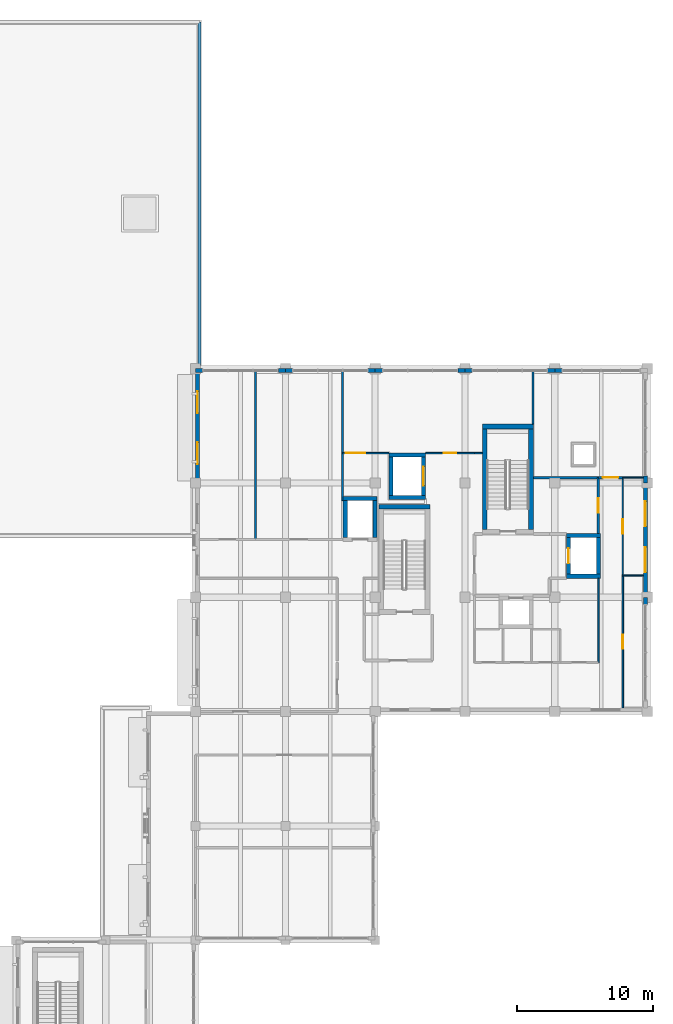
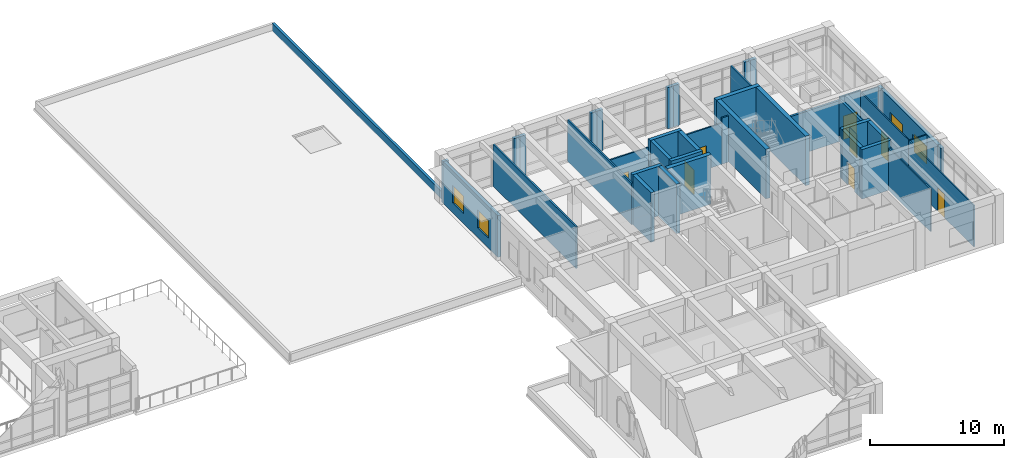
# One storey, part 34 of 50: 43 walls, 8 doors, 4 windows, 12 openings.
"""IFC4 building model written with IfcOpenShell, lengths in metres."""

from ifc_helpers import new_model, si_unit, direction, frame, frame_2d, origin, place, context, subcontext, project, spatial, rectangle, extrude, material, layer, layer_set, type_object, element, fill, save


model = new_model("IFC4")

# Units and contexts
model_context = context("Model", 3, precision=1e-05, world=origin(), true_north=direction((0.0, 1.0)))
body_context = subcontext(model_context, "Body", "Model", "MODEL_VIEW")
ifc_project = project(units=[si_unit("LENGTHUNIT", "METRE"), si_unit("AREAUNIT", "SQUARE_METRE"), si_unit("VOLUMEUNIT", "CUBIC_METRE"), si_unit("PLANEANGLEUNIT", "RADIAN"), si_unit("MASSUNIT", "GRAM", prefix="KILO")], contexts=[model_context])

# Site, building, storey
site_placement = place(None, origin())
site = spatial("IfcSite", under=ifc_project, at=site_placement, CompositionType="ELEMENT")
building_placement = place(site_placement, origin())
building = spatial("IfcBuilding", under=site, at=building_placement, Name="Kolvaren Faculty of Natural Sciences", CompositionType="ELEMENT")
storey_placement = place(building_placement, frame((0.0, 0.0, 15.0)))
storey = spatial("IfcBuildingStorey", under=building, at=storey_placement, Name="L03", CompositionType="ELEMENT", Elevation=15.0)

# Walls
ifc_material_1 = material(Name="Acoustic mineral-wool insulated gypsum partition")
ifc_layer_1 = layer(ifc_material_1, 0.139892578125)
ifc_layer_set_1 = layer_set([ifc_layer_1], Name="Acoustic mineral-wool insulated gypsum partition")
wall_type_1 = type_object("IfcWallType", Name="CommonsPartitionWall_140", PredefinedType="PARTITIONING", material=ifc_layer_set_1)
wall_1_placement = place(storey_placement, frame((143.199951171875, 84.0400390625, 0.0), z_axis=(0.0, 0.0, 1.0), x_axis=(0.0, -1.0, 0.0)))
element("IfcWall", 1, at=wall_1_placement, inside=storey, type_object=wall_type_1, Name="L03 interior partition PW-140", PredefinedType="PARTITIONING", context=body_context, shape_type="SweptSolid", body=[
    extrude(rectangle(XDim=12.39013671875, YDim=0.139892578125, at=frame_2d((6.195068359375, 0.0))), origin(), (0.0, 0.0, 1.0), 3.784912109375),
])
ifc_material_2 = material(Name="Concrete C40/50", Category="concrete")
ifc_layer_2 = layer(ifc_material_2, 0.35009765625)
ifc_layer_set_2 = layer_set([ifc_layer_2], Name="Concrete C40/50")
wall_type_2 = type_object("IfcWallType", Name="CoreShearWall_350", PredefinedType="SHEAR", material=ifc_layer_set_2)
wall_2_placement = place(storey_placement, frame((159.875, 79.949951171875, 0.0), z_axis=(0.0, 0.0, 1.0), x_axis=(1.0, 0.0, 0.0)))
element("IfcWall", 2, at=wall_2_placement, inside=storey, type_object=wall_type_2, Name="L03 CORE-C1 stair shear wall N", PredefinedType="SHEAR", context=body_context, shape_type="SweptSolid", body=[
    extrude(rectangle(XDim=3.75, YDim=0.35009765625, at=frame_2d((1.875, 0.0))), origin(), (0.0, 0.0, 1.0), 4.5),
])
for number, where, z_axis, x_axis, name in (
    (3, (160.050048828125, 72.39990234375, 0.0), (0.0, 0.0, 1.0), (0.0, 1.0, 0.0), "L03 CORE-C1 stair shear wall W"),
    (4, (163.449951171875, 72.39990234375, 0.0), (0.0, 0.0, 1.0), (0.0, 1.0, 0.0), "L03 CORE-C1 stair shear wall E"),
):
    element("IfcWall", number, at=place(storey_placement, frame(where, z_axis=z_axis, x_axis=x_axis)), inside=storey, type_object=wall_type_2, Name=name, PredefinedType="SHEAR", context=body_context, shape_type="SweptSolid", body=[
        extrude(rectangle(XDim=7.375, YDim=0.35009765625, at=frame_2d((3.6875, 0.0))), origin(), (0.0, 0.0, 1.0), 4.5),
    ])
wall_3_placement = place(storey_placement, frame((152.27490234375, 74.050048828125, 0.0), z_axis=(0.0, 0.0, 1.0), x_axis=(1.0, 0.0, 0.0)))
element("IfcWall", 5, at=wall_3_placement, inside=storey, type_object=wall_type_2, Name="L03 CORE-C2 stair shear wall N", PredefinedType="SHEAR", context=body_context, shape_type="SweptSolid", body=[
    extrude(rectangle(XDim=3.75, YDim=0.35009765625, at=frame_2d((1.875, 0.0))), origin(), (0.0, 0.0, 1.0), 4.5),
])
ifc_layer_3 = layer(ifc_material_1, 0.094970703125)
ifc_layer_set_3 = layer_set([ifc_layer_3], Name="Acoustic mineral-wool insulated gypsum partition")
wall_type_3 = type_object("IfcWallType", Name="CubiclePartition_095", PredefinedType="PARTITIONING", material=ifc_layer_set_3)
wall_4_placement = place(storey_placement, frame((170.199951171875, 76.199951171875, 0.0), z_axis=(0.0, 0.0, 1.0), x_axis=(1.0, 0.0, 0.0)))
element("IfcWall", 6, at=wall_4_placement, inside=storey, type_object=wall_type_3, Name="L03 interior partition PW-095", PredefinedType="PARTITIONING", context=body_context, shape_type="SweptSolid", body=[
    extrude(rectangle(XDim=1.51806640625, YDim=0.094970703125, at=frame_2d((0.759033203125, 0.0))), origin(), (0.0, 0.0, 1.0), 3.784912109375),
])

# Wall, opening, door
wall_5_placement = place(storey_placement, frame((170.199951171875, 69.0, 0.0), z_axis=(0.0, 0.0, 1.0), x_axis=(0.0, 1.0, 0.0)))
wall_5 = element("IfcWall", 7, at=wall_5_placement, inside=storey, type_object=wall_type_3, Name="L03 interior partition PW-095", PredefinedType="PARTITIONING", context=body_context, shape_type="SweptSolid", body=[
    extrude(rectangle(XDim=7.199951171875, YDim=0.094970703125, at=frame_2d((3.60009765625, 0.0))), origin(), (0.0, 0.0, 1.0), 3.8349609375),
])
opening_1_placement = place(wall_5_placement, frame((3.080078125, 0.0, 0.0)))
opening_1 = element("IfcOpeningElement", 8, at=opening_1_placement, cuts=wall_5, Name="Opening ID-22", PredefinedType="OPENING", context=body_context, shape_type="SweptSolid", body=[
    extrude(rectangle(XDim=1.0400390625, YDim=2.139892578125, at=frame_2d((0.52001953125, 1.06982421875))), frame((0.0, 0.057373046875, 0.0), z_axis=(0.0, -1.0, 0.0), x_axis=(1.0, 0.0, 0.0)), (0.0, 0.0, 1.0), 0.114990234375),
])
ifc_material_3 = material(Name="Solid-core hardwood veneer door leaf in steel frame", Category="steel")
door_type_1 = type_object("IfcDoorType", Name="InteriorRoomDoor_1040x2140", OperationType="NOTDEFINED", PredefinedType="DOOR", material=ifc_material_3)
door_1_placement = place(opening_1_placement, origin())
door_1 = element("IfcDoor", 9, at=door_1_placement, inside=storey, type_object=door_type_1, Name="D-L03-0257", OperationType="SINGLE_SWING_RIGHT", OverallHeight=2.139892578125, OverallWidth=1.0400390625, PredefinedType="DOOR", context=body_context, shape_type="SweptSolid", body=[
    extrude(rectangle(XDim=1.0400390625, YDim=2.139892578125, at=frame_2d((0.52001953125, 1.06982421875))), frame((0.0, 0.02490234375, 0.0), z_axis=(0.0, -1.0, 0.0), x_axis=(1.0, 0.0, 0.0)), (0.0, 0.0, 1.0), 0.050048828125),
])
fill(opening_1, door_1)

# Wall, openings, windows
ifc_material_4 = material(Name="Precast concrete C35/45", Category="concrete")
ifc_layer_4 = layer(ifc_material_4, 0.280029296875)
ifc_layer_set_4 = layer_set([ifc_layer_4], Name="Precast concrete C35/45")
wall_type_4 = type_object("IfcWallType", Name="ExteriorPrecastWall_280", PredefinedType="STANDARD", material=ifc_layer_set_4)
wall_6_placement = place(storey_placement, frame((138.93994140625, 75.800048828125, 0.0), z_axis=(0.0, 0.0, 1.0), x_axis=(0.0, 1.0, 0.0)))
wall_6 = element("IfcWall", 10, at=wall_6_placement, inside=storey, type_object=wall_type_4, Name="L03 exterior masonry wall EW-280 (508)", PredefinedType="STANDARD", context=body_context, shape_type="SweptSolid", body=[
    extrude(rectangle(XDim=8.119873046875, YDim=0.280029296875, at=frame_2d((4.06005859375, 0.0))), origin(), (0.0, 0.0, 1.0), 3.784912109375),
])
opening_2_placement = place(wall_6_placement, frame((1.392333984375, 0.0, 0.89990234375)))
opening_2 = element("IfcOpeningElement", 11, at=opening_2_placement, cuts=wall_6, Name="Opening WIN-15", PredefinedType="OPENING", context=body_context, shape_type="SweptSolid", body=[
    extrude(rectangle(XDim=1.60009765625, YDim=1.60009765625, at=frame_2d((0.800048828125, 0.800048828125))), frame((0.0, 0.14990234375, 0.0), z_axis=(0.0, -1.0, 0.0), x_axis=(1.0, 0.0, 0.0)), (0.0, 0.0, 1.0), 0.300048828125),
])
opening_3_placement = place(wall_6_placement, frame((5.127685546875, 0.0, 0.89990234375)))
opening_3 = element("IfcOpeningElement", 12, at=opening_3_placement, cuts=wall_6, Name="Opening WIN-15", PredefinedType="OPENING", context=body_context, shape_type="SweptSolid", body=[
    extrude(rectangle(XDim=1.60009765625, YDim=1.60009765625, at=frame_2d((0.800048828125, 0.800048828125))), frame((0.0, 0.14990234375, 0.0), z_axis=(0.0, -1.0, 0.0), x_axis=(1.0, 0.0, 0.0)), (0.0, 0.0, 1.0), 0.300048828125),
])
ifc_material_5 = material(Name="Double low-E solar control insulated glazing", Category="glass")
window_type_1 = type_object("IfcWindowType", Name="AluWindow_WIN15_1600x1600", PartitioningType="SINGLE_PANEL", PredefinedType="WINDOW", material=ifc_material_5)
window_1_placement = place(opening_2_placement, origin())
window_1 = element("IfcWindow", 13, at=window_1_placement, inside=storey, type_object=window_type_1, Name="WIN-L03-0327", OverallHeight=1.60009765625, OverallWidth=1.60009765625, PartitioningType="SINGLE_PANEL", PredefinedType="WINDOW", context=body_context, shape_type="SweptSolid", body=[
    extrude(rectangle(XDim=1.60009765625, YDim=1.60009765625, at=frame_2d((0.800048828125, 0.800048828125))), frame((0.0, 0.030029296875, 0.0), z_axis=(0.0, -1.0, 0.0), x_axis=(1.0, 0.0, 0.0)), (0.0, 0.0, 1.0), 0.06005859375),
])
fill(opening_2, window_1)
window_2_placement = place(opening_3_placement, origin())
window_2 = element("IfcWindow", 14, at=window_2_placement, inside=storey, type_object=window_type_1, Name="WIN-L03-0328", OverallHeight=1.60009765625, OverallWidth=1.60009765625, PartitioningType="SINGLE_PANEL", PredefinedType="WINDOW", context=body_context, shape_type="SweptSolid", body=[
    extrude(rectangle(XDim=1.60009765625, YDim=1.60009765625, at=frame_2d((0.800048828125, 0.800048828125))), frame((0.0, 0.030029296875, 0.0), z_axis=(0.0, -1.0, 0.0), x_axis=(1.0, 0.0, 0.0)), (0.0, 0.0, 1.0), 0.06005859375),
])
fill(opening_3, window_2)

# Walls
for number, where, z_axis, x_axis, name in (
    (15, (138.800048828125, 84.06005859375, 0.0), (0.0, 0.0, 1.0), (1.0, 0.0, 0.0), "L03 curtain-wall pier stub 509"),
    (16, (144.8798828125, 84.06005859375, 0.0), (0.0, 0.0, 1.0), (1.0, 0.0, 0.0), "L03 curtain-wall pier stub 510"),
    (17, (145.39990234375, 84.06005859375, 0.0), (0.0, 0.0, 1.0), (1.0, 0.0, 0.0), "L03 curtain-wall pier stub 511"),
    (18, (151.47998046875, 84.06005859375, 0.0), (0.0, 0.0, 1.0), (1.0, 0.0, 0.0), "L03 curtain-wall pier stub 512"),
    (19, (152.0, 84.06005859375, 0.0), (0.0, 0.0, 1.0), (1.0, 0.0, 0.0), "L03 curtain-wall pier stub 513"),
    (20, (158.080078125, 84.06005859375, 0.0), (0.0, 0.0, 1.0), (1.0, 0.0, 0.0), "L03 curtain-wall pier stub 514"),
    (21, (158.60009765625, 84.06005859375, 0.0), (0.0, 0.0, 1.0), (1.0, 0.0, 0.0), "L03 curtain-wall pier stub 515"),
    (22, (164.679931640625, 84.06005859375, 0.0), (0.0, 0.0, 1.0), (1.0, 0.0, 0.0), "L03 curtain-wall pier stub 516"),
    (23, (165.199951171875, 84.06005859375, 0.0), (0.0, 0.0, 1.0), (1.0, 0.0, 0.0), "L03 curtain-wall pier stub 517"),
):
    element("IfcWall", number, at=place(storey_placement, frame(where, z_axis=z_axis, x_axis=x_axis)), inside=storey, type_object=wall_type_4, Name=name, PredefinedType="STANDARD", context=body_context, shape_type="SweptSolid", body=[
        extrude(rectangle(XDim=0.52001953125, YDim=0.280029296875, at=frame_2d((0.260009765625, 0.0))), origin(), (0.0, 0.0, 1.0), 3.735107421875),
    ])
wall_7_placement = place(storey_placement, frame((171.860107421875, 76.320068359375, 0.0), z_axis=(0.0, 0.0, 1.0), x_axis=(0.0, -1.0, 0.0)))
element("IfcWall", 24, at=wall_7_placement, inside=storey, type_object=wall_type_4, Name="L03 curtain-wall pier stub 520", PredefinedType="STANDARD", context=body_context, shape_type="SweptSolid", body=[
    extrude(rectangle(XDim=0.52001953125, YDim=0.280029296875, at=frame_2d((0.260009765625, 0.0))), origin(), (0.0, 0.0, 1.0), 3.784912109375),
])

# Wall, openings, windows
wall_8_placement = place(storey_placement, frame((171.860107421875, 75.800048828125, 0.0), z_axis=(0.0, 0.0, 1.0), x_axis=(0.0, -1.0, 0.0)))
wall_8 = element("IfcWall", 25, at=wall_8_placement, inside=storey, type_object=wall_type_4, Name="L03 exterior masonry wall EW-280 (521)", PredefinedType="STANDARD", context=body_context, shape_type="SweptSolid", body=[
    extrude(rectangle(XDim=8.400146484375, YDim=0.280029296875, at=frame_2d((4.2001953125, 0.0))), origin(), (0.0, 0.0, 1.0), 3.784912109375),
])
opening_4_placement = place(wall_8_placement, frame((1.343017578125, 0.0, 0.89990234375)))
opening_4 = element("IfcOpeningElement", 26, at=opening_4_placement, cuts=wall_8, Name="Opening WIN-16", PredefinedType="OPENING", context=body_context, shape_type="SweptSolid", body=[
    extrude(rectangle(XDim=1.85009765625, YDim=1.60009765625, at=frame_2d((0.925048828125, 0.800048828125))), frame((0.0, 0.14990234375, 0.0), z_axis=(0.0, -1.0, 0.0), x_axis=(1.0, 0.0, 0.0)), (0.0, 0.0, 1.0), 0.300048828125),
])
opening_5_placement = place(wall_8_placement, frame((4.7099609375, 0.0, 0.89990234375)))
opening_5 = element("IfcOpeningElement", 27, at=opening_5_placement, cuts=wall_8, Name="Opening WIN-16", PredefinedType="OPENING", context=body_context, shape_type="SweptSolid", body=[
    extrude(rectangle(XDim=1.85009765625, YDim=1.60009765625, at=frame_2d((0.925048828125, 0.800048828125))), frame((0.0, 0.14990234375, 0.0), z_axis=(0.0, -1.0, 0.0), x_axis=(1.0, 0.0, 0.0)), (0.0, 0.0, 1.0), 0.300048828125),
])
window_type_2 = type_object("IfcWindowType", Name="AluWindow_WIN16_1850x1600", PartitioningType="SINGLE_PANEL", PredefinedType="WINDOW", material=ifc_material_5)
window_3_placement = place(opening_4_placement, origin())
window_3 = element("IfcWindow", 28, at=window_3_placement, inside=storey, type_object=window_type_2, Name="WIN-L03-0329", OverallHeight=1.60009765625, OverallWidth=1.85009765625, PartitioningType="SINGLE_PANEL", PredefinedType="WINDOW", context=body_context, shape_type="SweptSolid", body=[
    extrude(rectangle(XDim=1.85009765625, YDim=1.60009765625, at=frame_2d((0.925048828125, 0.800048828125))), frame((0.0, 0.030029296875, 0.0), z_axis=(0.0, -1.0, 0.0), x_axis=(1.0, 0.0, 0.0)), (0.0, 0.0, 1.0), 0.06005859375),
])
fill(opening_4, window_3)
window_4_placement = place(opening_5_placement, origin())
window_4 = element("IfcWindow", 29, at=window_4_placement, inside=storey, type_object=window_type_2, Name="WIN-L03-0330", OverallHeight=1.60009765625, OverallWidth=1.85009765625, PartitioningType="SINGLE_PANEL", PredefinedType="WINDOW", context=body_context, shape_type="SweptSolid", body=[
    extrude(rectangle(XDim=1.85009765625, YDim=1.60009765625, at=frame_2d((0.925048828125, 0.800048828125))), frame((0.0, 0.030029296875, 0.0), z_axis=(0.0, -1.0, 0.0), x_axis=(1.0, 0.0, 0.0)), (0.0, 0.0, 1.0), 0.06005859375),
])
fill(opening_5, window_4)

# Wall
wall_9_placement = place(storey_placement, frame((171.860107421875, 67.39990234375, 0.0), z_axis=(0.0, 0.0, 1.0), x_axis=(0.0, -1.0, 0.0)))
element("IfcWall", 30, at=wall_9_placement, inside=storey, type_object=wall_type_4, Name="L03 curtain-wall pier stub 522", PredefinedType="STANDARD", context=body_context, shape_type="SweptSolid", body=[
    extrude(rectangle(XDim=0.52001953125, YDim=0.280029296875, at=frame_2d((0.260009765625, 0.0))), origin(), (0.0, 0.0, 1.0), 3.784912109375),
])

# Wall, opening, door
ifc_layer_5 = layer(ifc_material_1, 0.179931640625)
ifc_layer_set_5 = layer_set([ifc_layer_5], Name="Acoustic mineral-wool insulated gypsum partition")
wall_type_5 = type_object("IfcWallType", Name="LabPartitionWall_180", PredefinedType="PARTITIONING", material=ifc_layer_set_5)
wall_10_placement = place(storey_placement, frame((170.199951171875, 76.199951171875, 0.0), z_axis=(0.0, 0.0, 1.0), x_axis=(-1.0, 0.0, 0.0)))
wall_10 = element("IfcWall", 31, at=wall_10_placement, inside=storey, type_object=wall_type_5, Name="L03 interior partition PW-180", PredefinedType="PARTITIONING", context=body_context, shape_type="SweptSolid", body=[
    extrude(rectangle(XDim=1.800048828125, YDim=0.179931640625, at=frame_2d((0.89990234375, 0.0))), origin(), (0.0, 0.0, 1.0), 3.985107421875),
])
opening_6_placement = place(wall_10_placement, frame((0.320068359375, 0.0, 0.0)))
opening_6 = element("IfcOpeningElement", 32, at=opening_6_placement, cuts=wall_10, Name="Opening ID-24", PredefinedType="OPENING", context=body_context, shape_type="SweptSolid", body=[
    extrude(rectangle(XDim=1.159912109375, YDim=2.139892578125, at=frame_2d((0.580078125, 1.06982421875))), frame((0.0, 0.099853515625, 0.0), z_axis=(0.0, -1.0, 0.0), x_axis=(1.0, 0.0, 0.0)), (0.0, 0.0, 1.0), 0.199951171875),
])
door_type_2 = type_object("IfcDoorType", Name="InteriorRoomDoor_1160x2140", OperationType="NOTDEFINED", PredefinedType="DOOR", material=ifc_material_3)
door_2_placement = place(opening_6_placement, origin())
door_2 = element("IfcDoor", 33, at=door_2_placement, inside=storey, type_object=door_type_2, Name="D-L03-0259", OperationType="SINGLE_SWING_RIGHT", OverallHeight=2.139892578125, OverallWidth=1.159912109375, PredefinedType="DOOR", context=body_context, shape_type="SweptSolid", body=[
    extrude(rectangle(XDim=1.159912109375, YDim=2.139892578125, at=frame_2d((0.580078125, 1.06982421875))), frame((0.0, 0.02490234375, 0.0), z_axis=(0.0, -1.0, 0.0), x_axis=(1.0, 0.0, 0.0)), (0.0, 0.0, 1.0), 0.050048828125),
])
fill(opening_6, door_2)

ifc_layer_6 = layer(ifc_material_1, 0.18505859375)
ifc_layer_set_6 = layer_set([ifc_layer_6], Name="Acoustic mineral-wool insulated gypsum partition")
wall_type_6 = type_object("IfcWallType", Name="LabPartitionWall_185", PredefinedType="PARTITIONING", material=ifc_layer_set_6)
wall_11_placement = place(storey_placement, frame((168.39990234375, 76.199951171875, 0.0), z_axis=(0.0, 0.0, 1.0), x_axis=(0.0, -1.0, 0.0)))
wall_11 = element("IfcWall", 34, at=wall_11_placement, inside=storey, type_object=wall_type_6, Name="L03 interior partition PW-185", PredefinedType="PARTITIONING", context=body_context, shape_type="SweptSolid", body=[
    extrude(rectangle(XDim=4.097900390625, YDim=0.18505859375, at=frame_2d((2.048828125, 0.0))), origin(), (0.0, 0.0, 1.0), 3.8349609375),
])
opening_7_placement = place(wall_11_placement, frame((1.509033203125, 0.0, 0.0)))
opening_7 = element("IfcOpeningElement", 35, at=opening_7_placement, cuts=wall_11, Name="Opening ID-23", PredefinedType="OPENING", context=body_context, shape_type="SweptSolid", body=[
    extrude(rectangle(XDim=1.080078125, YDim=2.139892578125, at=frame_2d((0.5400390625, 1.06982421875))), frame((0.0, 0.1025390625, 0.0), z_axis=(0.0, -1.0, 0.0), x_axis=(1.0, 0.0, 0.0)), (0.0, 0.0, 1.0), 0.205078125),
])
door_type_3 = type_object("IfcDoorType", Name="InteriorRoomDoor_1080x2140", OperationType="NOTDEFINED", PredefinedType="DOOR", material=ifc_material_3)
door_3_placement = place(opening_7_placement, origin())
door_3 = element("IfcDoor", 36, at=door_3_placement, inside=storey, type_object=door_type_3, Name="D-L03-0258", OperationType="SINGLE_SWING_LEFT", OverallHeight=2.139892578125, OverallWidth=1.080078125, PredefinedType="DOOR", context=body_context, shape_type="SweptSolid", body=[
    extrude(rectangle(XDim=1.080078125, YDim=2.139892578125, at=frame_2d((0.5400390625, 1.06982421875))), frame((0.0, 0.02490234375, 0.0), z_axis=(0.0, -1.0, 0.0), x_axis=(1.0, 0.0, 0.0)), (0.0, 0.0, 1.0), 0.050048828125),
])
fill(opening_7, door_3)

# Walls
wall_12_placement = place(storey_placement, frame((163.626953125, 76.199951171875, 0.0), z_axis=(0.0, 0.0, 1.0), x_axis=(1.0, 0.0, 0.0)))
element("IfcWall", 37, at=wall_12_placement, inside=storey, type_object=wall_type_6, Name="L03 interior partition PW-185", PredefinedType="PARTITIONING", context=body_context, shape_type="SweptSolid", body=[
    extrude(rectangle(XDim=4.77294921875, YDim=0.18505859375, at=frame_2d((2.386474609375, 0.0))), origin(), (0.0, 0.0, 1.0), 3.735107421875),
])
ifc_layer_7 = layer(ifc_material_1, 0.1298828125)
ifc_layer_set_7 = layer_set([ifc_layer_7], Name="Acoustic mineral-wool insulated gypsum partition")
wall_type_7 = type_object("IfcWallType", Name="OfficePartitionWall_130", PredefinedType="PARTITIONING", material=ifc_layer_set_7)
wall_13_placement = place(storey_placement, frame((149.60009765625, 84.0400390625, 0.0), z_axis=(0.0, 0.0, 1.0), x_axis=(0.0, -1.0, 0.0)))
element("IfcWall", 38, at=wall_13_placement, inside=storey, type_object=wall_type_7, Name="L03 interior partition PW-130", PredefinedType="PARTITIONING", context=body_context, shape_type="SweptSolid", body=[
    extrude(rectangle(XDim=9.5400390625, YDim=0.1298828125, at=frame_2d((4.77001953125, 0.0))), origin(), (0.0, 0.0, 1.0), 3.784912109375),
])
ifc_layer_8 = layer(ifc_material_4, 0.219970703125)
ifc_layer_set_8 = layer_set([ifc_layer_8], Name="Precast concrete C35/45")
wall_type_8 = type_object("IfcWallType", Name="ParapetUpstandWall_220", PredefinedType="PARAPET", material=ifc_layer_set_8)
wall_14_placement = place(storey_placement, frame((139.080078125, 109.679931640625, 0.0), z_axis=(0.0, 0.0, 1.0), x_axis=(0.0, -1.0, 0.0)))
element("IfcWall", 39, at=wall_14_placement, inside=storey, type_object=wall_type_8, Name="L03 architectural sandstone roof parapet 49", PredefinedType="PARAPET", context=body_context, shape_type="SweptSolid", body=[
    extrude(rectangle(XDim=25.22998046875, YDim=0.219970703125, at=frame_2d((12.614990234375, 0.0))), origin(), (0.0, 0.0, 1.0), 0.679931640625),
])
ifc_layer_9 = layer(ifc_material_2, 0.300048828125)
ifc_layer_set_9 = layer_set([ifc_layer_9], Name="Concrete C40/50")
wall_type_9 = type_object("IfcWallType", Name="ShaftShearWall_300", PredefinedType="SHEAR", material=ifc_layer_set_9)
for number, where, z_axis, x_axis, name in (
    (40, (166.050048828125, 68.949951171875, 0.0), (0.0, 0.0, 1.0), (1.0, 0.0, 0.0), "L03 lift FL-1 shaft wall S"),
    (41, (166.050048828125, 71.949951171875, 0.0), (0.0, 0.0, 1.0), (1.0, 0.0, 0.0), "L03 lift FL-1 shaft wall N"),
):
    element("IfcWall", number, at=place(storey_placement, frame(where, z_axis=z_axis, x_axis=x_axis)), inside=storey, type_object=wall_type_9, Name=name, PredefinedType="SHEAR", context=body_context, shape_type="SweptSolid", body=[
        extrude(rectangle(XDim=2.5, YDim=0.300048828125, at=frame_2d((1.25, 0.0))), origin(), (0.0, 0.0, 1.0), 4.5),
    ])

# Wall, opening, door
wall_15_placement = place(storey_placement, frame((166.199951171875, 69.10009765625, 0.0), z_axis=(0.0, 0.0, 1.0), x_axis=(0.0, 1.0, 0.0)))
wall_15 = element("IfcWall", 42, at=wall_15_placement, inside=storey, type_object=wall_type_9, Name="L03 lift FL-1 shaft wall W", PredefinedType="SHEAR", context=body_context, shape_type="SweptSolid", body=[
    extrude(rectangle(XDim=2.699951171875, YDim=0.300048828125, at=frame_2d((1.35009765625, 0.0))), origin(), (0.0, 0.0, 1.0), 4.5),
])
opening_8_placement = place(wall_15_placement, frame((0.800048828125, 0.0, 0.0)))
opening_8 = element("IfcOpeningElement", 43, at=opening_8_placement, cuts=wall_15, Name="Opening LD-01", PredefinedType="OPENING", context=body_context, shape_type="SweptSolid", body=[
    extrude(rectangle(XDim=1.10009765625, YDim=2.10009765625, at=frame_2d((0.550048828125, 1.050048828125))), frame((0.0, 0.159912109375, 0.0), z_axis=(0.0, -1.0, 0.0), x_axis=(1.0, 0.0, 0.0)), (0.0, 0.0, 1.0), 0.320068359375),
])
ifc_material_6 = material(Name="Brushed stainless steel lift car and sliding door assembly", Category="steel")
door_type_4 = type_object("IfcDoorType", Name="LiftLandingSliding_1100x2100", OperationType="DOUBLE_DOOR_SLIDING", PredefinedType="DOOR", material=ifc_material_6)
door_4_placement = place(opening_8_placement, origin())
door_4 = element("IfcDoor", 44, at=door_4_placement, inside=storey, type_object=door_type_4, Name="D-LIFT-FL-1-L03", OperationType="DOUBLE_DOOR_SLIDING", OverallHeight=2.10009765625, OverallWidth=1.10009765625, PredefinedType="DOOR", context=body_context, shape_type="SweptSolid", body=[
    extrude(rectangle(XDim=1.10009765625, YDim=2.10009765625, at=frame_2d((0.550048828125, 1.050048828125))), frame((0.0, 0.02490234375, 0.0), z_axis=(0.0, -1.0, 0.0), x_axis=(1.0, 0.0, 0.0)), (0.0, 0.0, 1.0), 0.050048828125),
])
fill(opening_8, door_4)

# Walls
wall_16_placement = place(storey_placement, frame((168.39990234375, 69.10009765625, 0.0), z_axis=(0.0, 0.0, 1.0), x_axis=(0.0, 1.0, 0.0)))
element("IfcWall", 45, at=wall_16_placement, inside=storey, type_object=wall_type_9, Name="L03 lift FL-1 shaft wall E", PredefinedType="SHEAR", context=body_context, shape_type="SweptSolid", body=[
    extrude(rectangle(XDim=2.699951171875, YDim=0.300048828125, at=frame_2d((1.35009765625, 0.0))), origin(), (0.0, 0.0, 1.0), 4.5),
])
wall_17_placement = place(storey_placement, frame((149.64990234375, 74.64990234375, 0.0), z_axis=(0.0, 0.0, 1.0), x_axis=(1.0, 0.0, 0.0)))
element("IfcWall", 46, at=wall_17_placement, inside=storey, type_object=wall_type_9, Name="L03 lift FL-2 shaft wall N", PredefinedType="SHEAR", context=body_context, shape_type="SweptSolid", body=[
    extrude(rectangle(XDim=2.5, YDim=0.300048828125, at=frame_2d((1.25, 0.0))), origin(), (0.0, 0.0, 1.0), 4.5),
])
for number, where, z_axis, x_axis, name in (
    (47, (149.800048828125, 71.800048828125, 0.0), (0.0, 0.0, 1.0), (0.0, 1.0, 0.0), "L03 lift FL-2 shaft wall W"),
    (48, (152.0, 71.800048828125, 0.0), (0.0, 0.0, 1.0), (0.0, 1.0, 0.0), "L03 lift FL-2 shaft wall E"),
    (49, (153.0, 74.75, 0.0), (0.0, 0.0, 1.0), (1.0, 0.0, 0.0), "L03 lift GL-2 shaft wall S"),
    (50, (153.0, 77.85009765625, 0.0), (0.0, 0.0, 1.0), (1.0, 0.0, 0.0), "L03 lift GL-2 shaft wall N"),
):
    element("IfcWall", number, at=place(storey_placement, frame(where, z_axis=z_axis, x_axis=x_axis)), inside=storey, type_object=wall_type_9, Name=name, PredefinedType="SHEAR", context=body_context, shape_type="SweptSolid", body=[
        extrude(rectangle(XDim=2.699951171875, YDim=0.300048828125, at=frame_2d((1.35009765625, 0.0))), origin(), (0.0, 0.0, 1.0), 4.5),
    ])
wall_18_placement = place(storey_placement, frame((153.14990234375, 74.89990234375, 0.0), z_axis=(0.0, 0.0, 1.0), x_axis=(0.0, 1.0, 0.0)))
element("IfcWall", 51, at=wall_18_placement, inside=storey, type_object=wall_type_9, Name="L03 lift GL-2 shaft wall W", PredefinedType="SHEAR", context=body_context, shape_type="SweptSolid", body=[
    extrude(rectangle(XDim=2.800048828125, YDim=0.300048828125, at=frame_2d((1.39990234375, 0.0))), origin(), (0.0, 0.0, 1.0), 4.5),
])

# Wall, opening, door
wall_19_placement = place(storey_placement, frame((155.550048828125, 74.89990234375, 0.0), z_axis=(0.0, 0.0, 1.0), x_axis=(0.0, 1.0, 0.0)))
wall_19 = element("IfcWall", 52, at=wall_19_placement, inside=storey, type_object=wall_type_9, Name="L03 lift GL-2 shaft wall E", PredefinedType="SHEAR", context=body_context, shape_type="SweptSolid", body=[
    extrude(rectangle(XDim=2.800048828125, YDim=0.300048828125, at=frame_2d((1.39990234375, 0.0))), origin(), (0.0, 0.0, 1.0), 4.5),
])
opening_9_placement = place(wall_19_placement, frame((0.699951171875, 0.0, 0.0)))
opening_9 = element("IfcOpeningElement", 53, at=opening_9_placement, cuts=wall_19, Name="Opening LD-03", PredefinedType="OPENING", context=body_context, shape_type="SweptSolid", body=[
    extrude(rectangle(XDim=1.39990234375, YDim=2.199951171875, at=frame_2d((0.699951171875, 1.10009765625))), frame((0.0, 0.159912109375, 0.0), z_axis=(0.0, -1.0, 0.0), x_axis=(1.0, 0.0, 0.0)), (0.0, 0.0, 1.0), 0.320068359375),
])
door_type_5 = type_object("IfcDoorType", Name="GoodsLiftSliding_1400x2200", OperationType="DOUBLE_DOOR_SLIDING", PredefinedType="DOOR", material=ifc_material_6)
door_5_placement = place(opening_9_placement, origin())
door_5 = element("IfcDoor", 54, at=door_5_placement, inside=storey, type_object=door_type_5, Name="D-LIFT-GL-2-L03", OperationType="DOUBLE_DOOR_SLIDING", OverallHeight=2.199951171875, OverallWidth=1.39990234375, PredefinedType="DOOR", context=body_context, shape_type="SweptSolid", body=[
    extrude(rectangle(XDim=1.39990234375, YDim=2.199951171875, at=frame_2d((0.699951171875, 1.10009765625))), frame((0.0, 0.02490234375, 0.0), z_axis=(0.0, -1.0, 0.0), x_axis=(1.0, 0.0, 0.0)), (0.0, 0.0, 1.0), 0.050048828125),
])
fill(opening_9, door_5)

# Wall
ifc_layer_10 = layer(ifc_material_1, 0.114990234375)
ifc_layer_set_10 = layer_set([ifc_layer_10], Name="Acoustic mineral-wool insulated gypsum partition")
wall_type_10 = type_object("IfcWallType", Name="StorePartitionWall_115", PredefinedType="PARTITIONING", material=ifc_layer_set_10)
wall_20_placement = place(storey_placement, frame((168.39990234375, 68.798095703125, 0.0), z_axis=(0.0, 0.0, 1.0), x_axis=(0.0, -1.0, 0.0)))
element("IfcWall", 55, at=wall_20_placement, inside=storey, type_object=wall_type_10, Name="L03 interior partition PW-115", PredefinedType="PARTITIONING", context=body_context, shape_type="SweptSolid", body=[
    extrude(rectangle(XDim=6.197998046875, YDim=0.114990234375, at=frame_2d((3.09912109375, 0.0))), origin(), (0.0, 0.0, 1.0), 3.8349609375),
])

# Wall, opening, door
ifc_layer_11 = layer(ifc_material_1, 0.1201171875)
ifc_layer_set_11 = layer_set([ifc_layer_11], Name="Acoustic mineral-wool insulated gypsum partition")
wall_type_11 = type_object("IfcWallType", Name="StudioPartitionWall_120", PredefinedType="PARTITIONING", material=ifc_layer_set_11)
wall_21_placement = place(storey_placement, frame((153.0, 78.0, 0.0), z_axis=(0.0, 0.0, 1.0), x_axis=(-1.0, 0.0, 0.0)))
wall_21 = element("IfcWall", 56, at=wall_21_placement, inside=storey, type_object=wall_type_11, Name="L03 interior partition PW-120", PredefinedType="PARTITIONING", context=body_context, shape_type="SweptSolid", body=[
    extrude(rectangle(XDim=3.39990234375, YDim=0.1201171875, at=frame_2d((1.699951171875, 0.0))), origin(), (0.0, 0.0, 1.0), 3.735107421875),
])
opening_10_placement = place(wall_21_placement, frame((1.72802734375, 0.0, 0.0)))
opening_10 = element("IfcOpeningElement", 57, at=opening_10_placement, cuts=wall_21, Name="Opening ID-27", PredefinedType="OPENING", context=body_context, shape_type="SweptSolid", body=[
    extrude(rectangle(XDim=1.43994140625, YDim=2.139892578125, at=frame_2d((0.719970703125, 1.06982421875))), frame((0.0, 0.070068359375, 0.0), z_axis=(0.0, -1.0, 0.0), x_axis=(1.0, 0.0, 0.0)), (0.0, 0.0, 1.0), 0.14013671875),
])
ifc_material_7 = material(Name="Thermally broken anodised aluminium glazed door", Category="aluminium")
door_type_6 = type_object("IfcDoorType", Name="InteriorRoomDoor_1440x2140", OperationType="DOUBLE_DOOR_SINGLE_SWING", PredefinedType="DOOR", material=ifc_material_7)
door_6_placement = place(opening_10_placement, origin())
door_6 = element("IfcDoor", 58, at=door_6_placement, inside=storey, type_object=door_type_6, Name="D-L03-0263", OperationType="DOUBLE_DOOR_SINGLE_SWING", OverallHeight=2.139892578125, OverallWidth=1.43994140625, PredefinedType="DOOR", context=body_context, shape_type="SweptSolid", body=[
    extrude(rectangle(XDim=1.43994140625, YDim=2.139892578125, at=frame_2d((0.719970703125, 1.06982421875))), frame((0.0, 0.02490234375, 0.0), z_axis=(0.0, -1.0, 0.0), x_axis=(1.0, 0.0, 0.0)), (0.0, 0.0, 1.0), 0.050048828125),
])
fill(opening_10, door_6)

# Walls
wall_22_placement = place(storey_placement, frame((163.60009765625, 84.0400390625, 0.0), z_axis=(0.0, 0.0, 1.0), x_axis=(0.0, -1.0, 0.0)))
element("IfcWall", 59, at=wall_22_placement, inside=storey, type_object=wall_type_11, Name="L03 interior partition PW-120", PredefinedType="PARTITIONING", context=body_context, shape_type="SweptSolid", body=[
    extrude(rectangle(XDim=3.9130859375, YDim=0.1201171875, at=frame_2d((1.95654296875, 0.0))), origin(), (0.0, 0.0, 1.0), 3.784912109375),
])
wall_23_placement = place(storey_placement, frame((159.873046875, 78.0, 0.0), z_axis=(0.0, 0.0, 1.0), x_axis=(-1.0, 0.0, 0.0)))
element("IfcWall", 60, at=wall_23_placement, inside=storey, type_object=wall_type_11, Name="L03 interior partition PW-120", PredefinedType="PARTITIONING", context=body_context, shape_type="SweptSolid", body=[
    extrude(rectangle(XDim=0.572998046875, YDim=0.1201171875, at=frame_2d((0.28662109375, 0.0))), origin(), (0.0, 0.0, 1.0), 4.195068359375),
])

# Wall, opening, door
wall_24_placement = place(storey_placement, frame((159.300048828125, 78.0, 0.0), z_axis=(0.0, 0.0, 1.0), x_axis=(-1.0, 0.0, 0.0)))
wall_24 = element("IfcWall", 61, at=wall_24_placement, inside=storey, type_object=wall_type_11, Name="L03 interior partition PW-120", PredefinedType="PARTITIONING", context=body_context, shape_type="SweptSolid", body=[
    extrude(rectangle(XDim=3.60009765625, YDim=0.1201171875, at=frame_2d((1.800048828125, 0.0))), origin(), (0.0, 0.0, 1.0), 3.735107421875),
])
opening_11_placement = place(wall_24_placement, frame((1.340087890625, 0.0, 0.0)))
opening_11 = element("IfcOpeningElement", 62, at=opening_11_placement, cuts=wall_24, Name="Opening ID-19", PredefinedType="OPENING", context=body_context, shape_type="SweptSolid", body=[
    extrude(rectangle(XDim=0.919921875, YDim=2.139892578125, at=frame_2d((0.4599609375, 1.06982421875))), frame((0.0, 0.070068359375, 0.0), z_axis=(0.0, -1.0, 0.0), x_axis=(1.0, 0.0, 0.0)), (0.0, 0.0, 1.0), 0.14013671875),
])
door_type_7 = type_object("IfcDoorType", Name="InteriorRoomDoor_920x2140", OperationType="NOTDEFINED", PredefinedType="DOOR", material=ifc_material_3)
door_7_placement = place(opening_11_placement, origin())
door_7 = element("IfcDoor", 63, at=door_7_placement, inside=storey, type_object=door_type_7, Name="D-L03-0254", OperationType="SINGLE_SWING_LEFT", OverallHeight=2.139892578125, OverallWidth=0.919921875, PredefinedType="DOOR", context=body_context, shape_type="SweptSolid", body=[
    extrude(rectangle(XDim=0.919921875, YDim=2.139892578125, at=frame_2d((0.4599609375, 1.06982421875))), frame((0.0, 0.02490234375, 0.0), z_axis=(0.0, -1.0, 0.0), x_axis=(1.0, 0.0, 0.0)), (0.0, 0.0, 1.0), 0.050048828125),
])
fill(opening_11, door_7)

ifc_layer_12 = layer(ifc_material_1, 0.10498046875)
ifc_layer_set_12 = layer_set([ifc_layer_12], Name="Acoustic mineral-wool insulated gypsum partition")
wall_type_12 = type_object("IfcWallType", Name="WetRoomPartition_105", PredefinedType="PARTITIONING", material=ifc_layer_set_12)
wall_25_placement = place(storey_placement, frame((170.199951171875, 59.281982421875, 0.0), z_axis=(0.0, 0.0, 1.0), x_axis=(0.0, 1.0, 0.0)))
wall_25 = element("IfcWall", 64, at=wall_25_placement, inside=storey, type_object=wall_type_12, Name="L03 interior partition PW-105", PredefinedType="PARTITIONING", context=body_context, shape_type="SweptSolid", body=[
    extrude(rectangle(XDim=9.718017578125, YDim=0.10498046875, at=frame_2d((4.85888671875, 0.0))), origin(), (0.0, 0.0, 1.0), 3.784912109375),
])
opening_12_placement = place(wall_25_placement, frame((4.35400390625, 0.0, 0.0)))
opening_12 = element("IfcOpeningElement", 65, at=opening_12_placement, cuts=wall_25, Name="Opening ID-21", PredefinedType="OPENING", context=body_context, shape_type="SweptSolid", body=[
    extrude(rectangle(XDim=1.010009765625, YDim=2.139892578125, at=frame_2d((0.5048828125, 1.06982421875))), frame((0.0, 0.0625, 0.0), z_axis=(0.0, -1.0, 0.0), x_axis=(1.0, 0.0, 0.0)), (0.0, 0.0, 1.0), 0.125),
])
door_type_8 = type_object("IfcDoorType", Name="InteriorRoomDoor_1010x2140", OperationType="NOTDEFINED", PredefinedType="DOOR", material=ifc_material_3)
door_8_placement = place(opening_12_placement, origin())
door_8 = element("IfcDoor", 66, at=door_8_placement, inside=storey, type_object=door_type_8, Name="D-L03-0256", OperationType="SINGLE_SWING_LEFT", OverallHeight=2.139892578125, OverallWidth=1.010009765625, PredefinedType="DOOR", context=body_context, shape_type="SweptSolid", body=[
    extrude(rectangle(XDim=1.010009765625, YDim=2.139892578125, at=frame_2d((0.5048828125, 1.06982421875))), frame((0.0, 0.02490234375, 0.0), z_axis=(0.0, -1.0, 0.0), x_axis=(1.0, 0.0, 0.0)), (0.0, 0.0, 1.0), 0.050048828125),
])
fill(opening_12, door_8)

# Wall
wall_26_placement = place(storey_placement, frame((170.199951171875, 69.0, 0.0), z_axis=(0.0, 0.0, 1.0), x_axis=(1.0, 0.0, 0.0)))
element("IfcWall", 67, at=wall_26_placement, inside=storey, type_object=wall_type_12, Name="L03 interior partition PW-105", PredefinedType="PARTITIONING", context=body_context, shape_type="SweptSolid", body=[
    extrude(rectangle(XDim=1.51806640625, YDim=0.10498046875, at=frame_2d((0.759033203125, 0.0))), origin(), (0.0, 0.0, 1.0), 3.784912109375),
])

save(model, "model.ifc")
